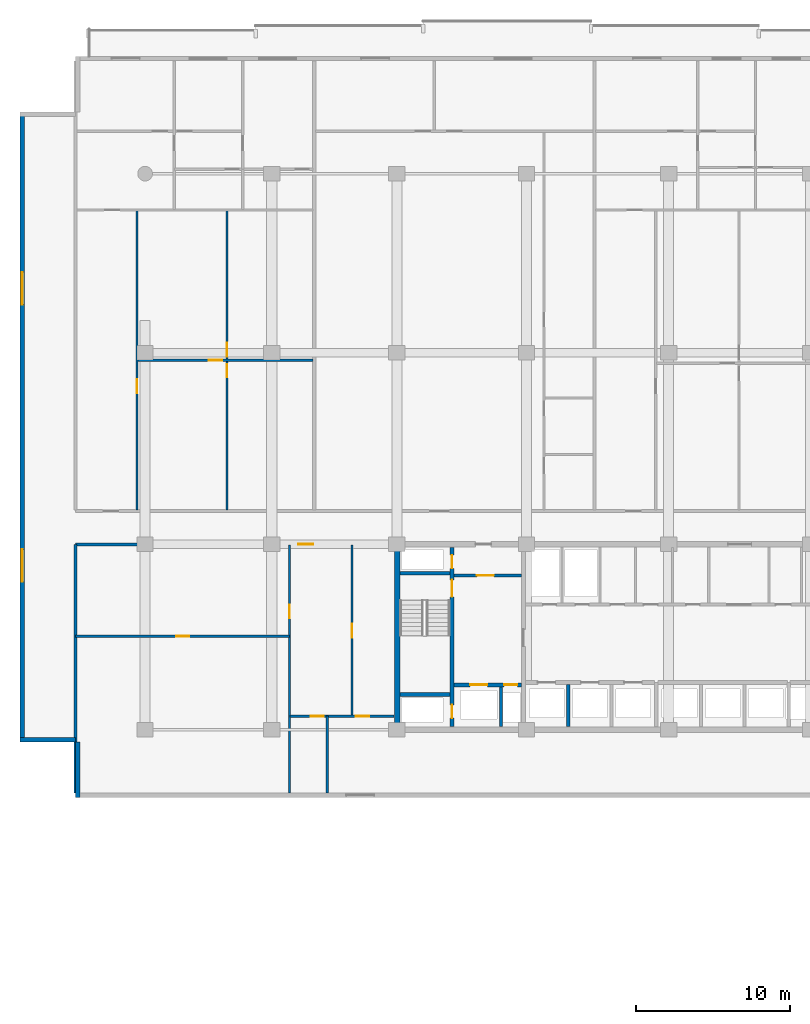
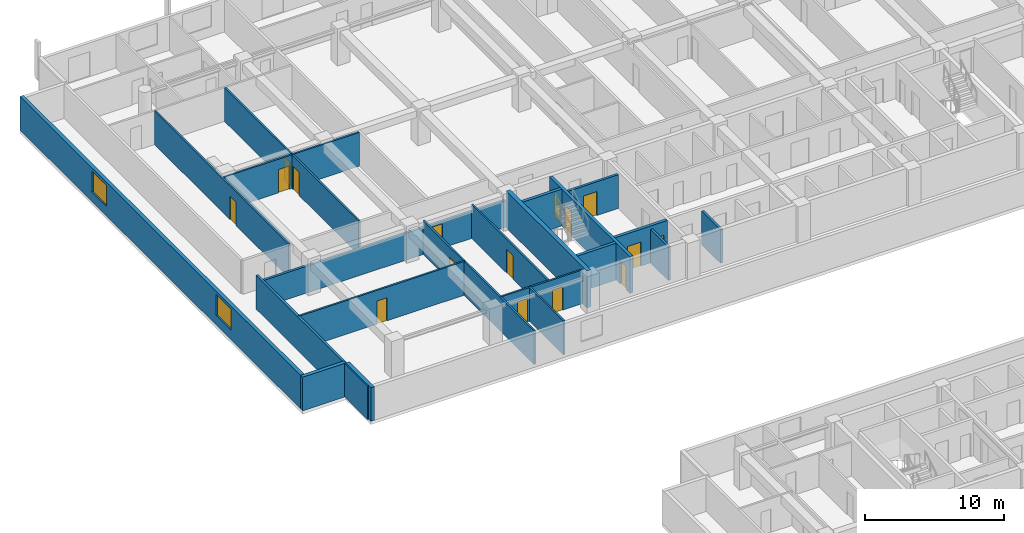
# One storey, part 9 of 23: 21 walls, 16 doors, 2 windows, 18 openings.
"""IFC4 building model written with IfcOpenShell, lengths in metres."""

from ifc_helpers import new_model, si_unit, direction, frame, frame_2d, origin, place, context, subcontext, project, spatial, rectangle, extrude, material, layer, layer_set, type_object, element, fill, save


model = new_model("IFC4")

# Units and contexts
model_context = context("Model", 3, precision=1e-05, world=origin(), true_north=direction((0.0, 1.0)))
body_context = subcontext(model_context, "Body", "Model", "MODEL_VIEW")
ifc_project = project(units=[si_unit("LENGTHUNIT", "METRE"), si_unit("AREAUNIT", "SQUARE_METRE"), si_unit("VOLUMEUNIT", "CUBIC_METRE"), si_unit("PLANEANGLEUNIT", "RADIAN"), si_unit("MASSUNIT", "GRAM", prefix="KILO")], contexts=[model_context])

# Site, building, storey
site_placement = place(None, origin())
site = spatial("IfcSite", under=ifc_project, at=site_placement, CompositionType="ELEMENT")
building_placement = place(site_placement, origin())
building = spatial("IfcBuilding", under=site, at=building_placement, Name="Korimba Cascade Residences", CompositionType="ELEMENT")
storey_placement = place(building_placement, frame((0.0, 0.0, 50.0)))
storey = spatial("IfcBuildingStorey", under=building, at=storey_placement, Name="L13", CompositionType="ELEMENT", Elevation=50.0)

# Wall, openings, windows
ifc_material_1 = material(Name="Precast concrete C40/50", Category="concrete")
ifc_layer_1 = layer(ifc_material_1, 0.300048828125)
ifc_layer_set_1 = layer_set([ifc_layer_1], Name="Precast concrete C40/50")
wall_type_1 = type_object("IfcWallType", Name="EW-STONE-300", PredefinedType="STANDARD", material=ifc_layer_set_1)
wall_1_placement = place(storey_placement, frame((51.85009765625, 95.199951171875, 0.0), z_axis=(0.0, 0.0, 1.0), x_axis=(0.0, -1.0, 0.0)))
wall_1 = element("IfcWall", 1, at=wall_1_placement, inside=storey, type_object=wall_type_1, Name="L13 T1 Perimeter Stone Wall E09", PredefinedType="STANDARD", context=body_context, shape_type="SweptSolid", body=[
    extrude(rectangle(XDim=40.800048828125, YDim=0.300048828125, at=frame_2d((20.39990234375, 0.0))), origin(), (0.0, 0.0, 1.0), 2.969970703125),
])
opening_1_placement = place(wall_1_placement, frame((10.3740234375, 0.0, 0.85009765625)))
opening_1 = element("IfcOpeningElement", 2, at=opening_1_placement, cuts=wall_1, Name="Opening W-03", PredefinedType="OPENING", context=body_context, shape_type="SweptSolid", body=[
    extrude(rectangle(XDim=2.10009765625, YDim=1.85009765625, at=frame_2d((1.050048828125, 0.925048828125))), frame((0.0, 0.16015625, 0.0), z_axis=(0.0, -1.0, 0.0), x_axis=(1.0, 0.0, 0.0)), (0.0, 0.0, 1.0), 0.320068359375),
])
opening_2_placement = place(wall_1_placement, frame((28.325927734375, 0.0, 0.85009765625)))
opening_2 = element("IfcOpeningElement", 3, at=opening_2_placement, cuts=wall_1, Name="Opening W-03", PredefinedType="OPENING", context=body_context, shape_type="SweptSolid", body=[
    extrude(rectangle(XDim=2.10009765625, YDim=1.85009765625, at=frame_2d((1.050048828125, 0.925048828125))), frame((0.0, 0.16015625, 0.0), z_axis=(0.0, -1.0, 0.0), x_axis=(1.0, 0.0, 0.0)), (0.0, 0.0, 1.0), 0.320068359375),
])
ifc_material_2 = material(Name="Double-Glazed Aluminium Window", Category="aluminium")
window_type = type_object("IfcWindowType", Name="WIN-CRN-2100", PartitioningType="DOUBLE_PANEL_HORIZONTAL", PredefinedType="WINDOW", material=ifc_material_2)
window_1_placement = place(opening_1_placement, origin())
window_1 = element("IfcWindow", 4, at=window_1_placement, inside=storey, type_object=window_type, Name="L13 T1 End View Window 9.1", OverallHeight=1.85009765625, OverallWidth=2.10009765625, PartitioningType="DOUBLE_PANEL_HORIZONTAL", PredefinedType="WINDOW", context=body_context, shape_type="SweptSolid", body=[
    extrude(rectangle(XDim=2.10009765625, YDim=1.85009765625, at=frame_2d((1.050048828125, 0.925048828125))), frame((0.0, 0.030029296875, 0.0), z_axis=(0.0, -1.0, 0.0), x_axis=(1.0, 0.0, 0.0)), (0.0, 0.0, 1.0), 0.06005859375),
])
fill(opening_1, window_1)
window_2_placement = place(opening_2_placement, origin())
window_2 = element("IfcWindow", 5, at=window_2_placement, inside=storey, type_object=window_type, Name="L13 T1 End View Window 9.2", OverallHeight=1.85009765625, OverallWidth=2.10009765625, PartitioningType="DOUBLE_PANEL_HORIZONTAL", PredefinedType="WINDOW", context=body_context, shape_type="SweptSolid", body=[
    extrude(rectangle(XDim=2.10009765625, YDim=1.85009765625, at=frame_2d((1.050048828125, 0.925048828125))), frame((0.0, 0.030029296875, 0.0), z_axis=(0.0, -1.0, 0.0), x_axis=(1.0, 0.0, 0.0)), (0.0, 0.0, 1.0), 0.06005859375),
])
fill(opening_2, window_2)

# Walls
wall_2_placement = place(storey_placement, frame((51.699951171875, 54.550048828125, 0.0), z_axis=(0.0, 0.0, 1.0), x_axis=(1.0, 0.0, 0.0)))
element("IfcWall", 6, at=wall_2_placement, inside=storey, type_object=wall_type_1, Name="L13 T1 Perimeter Stone Wall E10", PredefinedType="STANDARD", context=body_context, shape_type="SweptSolid", body=[
    extrude(rectangle(XDim=3.60009765625, YDim=0.300048828125, at=frame_2d((1.800048828125, 0.0))), origin(), (0.0, 0.0, 1.0), 2.969970703125),
])
wall_3_placement = place(storey_placement, frame((55.449951171875, 54.39990234375, 0.0), z_axis=(0.0, 0.0, 1.0), x_axis=(0.0, -1.0, 0.0)))
element("IfcWall", 7, at=wall_3_placement, inside=storey, type_object=wall_type_1, Name="L13 T1 Perimeter Stone Wall E11", PredefinedType="STANDARD", context=body_context, shape_type="SweptSolid", body=[
    extrude(rectangle(XDim=3.599853515625, YDim=0.300048828125, at=frame_2d((1.7998046875, 0.0))), origin(), (0.0, 0.0, 1.0), 2.969970703125),
])
ifc_material_3 = material(Name="Concrete C65/80", Category="concrete")
ifc_layer_2 = layer(ifc_material_3, 0.35009765625)
ifc_layer_set_2 = layer_set([ifc_layer_2], Name="Concrete C65/80")
wall_type_2 = type_object("IfcWallType", Name="WAL-CORE-350", PredefinedType="SHEAR", material=ifc_layer_set_2)
wall_4_placement = place(storey_placement, frame((76.125, 55.375, 0.0), z_axis=(0.0, 0.0, 1.0), x_axis=(0.0, 1.0, 0.0)))
element("IfcWall", 8, at=wall_4_placement, inside=storey, type_object=wall_type_2, Name="L13 Core Shear Wall CW-L13-T1-W", PredefinedType="SHEAR", context=body_context, shape_type="SweptSolid", body=[
    extrude(rectangle(XDim=11.64990234375, YDim=0.35009765625, at=frame_2d((5.824951171875, 0.0))), origin(), (0.0, 0.0, 1.0), 3.25),
])
ifc_layer_3 = layer(ifc_material_1, 0.199951171875)
ifc_layer_set_3 = layer_set([ifc_layer_3], Name="Precast concrete C40/50")
wall_type_3 = type_object("IfcWallType", Name="WAL-IT-200", PredefinedType="PARTITIONING", material=ifc_layer_set_3)
wall_5_placement = place(storey_placement, frame((55.300048828125, 51.10009765625, 0.0), z_axis=(0.0, 0.0, 1.0), x_axis=(0.0, 1.0, 0.0)))
element("IfcWall", 9, at=wall_5_placement, inside=storey, type_object=wall_type_3, Name="L13 Partition Wall WAL-L13-T1-FW-WL", PredefinedType="PARTITIONING", context=body_context, shape_type="SweptSolid", body=[
    extrude(rectangle(XDim=16.099853515625, YDim=0.199951171875, at=frame_2d((8.0498046875, 0.0))), origin(), (0.0, 0.0, 1.0), 2.969970703125),
])

# Wall, opening, door
wall_6_placement = place(storey_placement, frame((55.300048828125, 67.199951171875, 0.0), z_axis=(0.0, 0.0, 1.0), x_axis=(1.0, 0.0, 0.0)))
wall_6 = element("IfcWall", 10, at=wall_6_placement, inside=storey, type_object=wall_type_3, Name="L13 Partition Wall WAL-L13-T1-FW-N", PredefinedType="PARTITIONING", context=body_context, shape_type="SweptSolid", body=[
    extrude(rectangle(XDim=20.64990234375, YDim=0.199951171875, at=frame_2d((10.324951171875, 0.0))), origin(), (0.0, 0.0, 1.0), 2.3701171875),
])
opening_3_placement = place(wall_6_placement, frame((14.426025390625, 0.0, 0.0)))
opening_3 = element("IfcOpeningElement", 11, at=opening_3_placement, cuts=wall_6, Name="Opening D-UN1", PredefinedType="OPENING", context=body_context, shape_type="SweptSolid", body=[
    extrude(rectangle(XDim=0.949951171875, YDim=2.14990234375, at=frame_2d((0.47509765625, 1.074951171875))), frame((0.0, 0.10986328125, 0.0), z_axis=(0.0, -1.0, 0.0), x_axis=(1.0, 0.0, 0.0)), (0.0, 0.0, 1.0), 0.219970703125),
])
ifc_material_4 = material(Name="Fire-Rated Hardwood Apartment Entrance Door", Category="wood")
door_type_1 = type_object("IfcDoorType", Name="DR-FD60-950", OperationType="NOTDEFINED", PredefinedType="DOOR", material=ifc_material_4)
door_1_placement = place(opening_3_placement, origin())
door_1 = element("IfcDoor", 12, at=door_1_placement, inside=storey, type_object=door_type_1, Name="L13-T1-FW Entrance Door", OperationType="SINGLE_SWING_LEFT", OverallHeight=2.14990234375, OverallWidth=0.949951171875, PredefinedType="DOOR", context=body_context, shape_type="SweptSolid", body=[
    extrude(rectangle(XDim=0.949951171875, YDim=2.14990234375, at=frame_2d((0.47509765625, 1.074951171875))), frame((0.0, 0.02490234375, 0.0), z_axis=(0.0, -1.0, 0.0), x_axis=(1.0, 0.0, 0.0)), (0.0, 0.0, 1.0), 0.050048828125),
])
fill(opening_3, door_1)

ifc_material_5 = material(Name="Insulated Acoustic Stud Partition", Category="gypsum")
ifc_layer_4 = layer(ifc_material_5, 0.14990234375)
ifc_layer_set_4 = layer_set([ifc_layer_4], Name="Insulated Acoustic Stud Partition")
wall_type_4 = type_object("IfcWallType", Name="WAL-PART-150", PredefinedType="PARTITIONING", material=ifc_layer_set_4)
wall_7_placement = place(storey_placement, frame((55.300048828125, 61.25, 0.0), z_axis=(0.0, 0.0, 1.0), x_axis=(1.0, 0.0, 0.0)))
wall_7 = element("IfcWall", 13, at=wall_7_placement, inside=storey, type_object=wall_type_4, Name="L13 Partition Wall WAL-L13-T1-FW-STH", PredefinedType="PARTITIONING", context=body_context, shape_type="SweptSolid", body=[
    extrude(rectangle(XDim=13.849853515625, YDim=0.14990234375, at=frame_2d((6.9248046875, 0.0))), origin(), (0.0, 0.0, 1.0), 2.969970703125),
])
opening_4_placement = place(wall_7_placement, frame((6.5048828125, 0.0, 0.0)))
opening_4 = element("IfcOpeningElement", 14, at=opening_4_placement, cuts=wall_7, Name="Opening D-BT1", PredefinedType="OPENING", context=body_context, shape_type="SweptSolid", body=[
    extrude(rectangle(XDim=0.840087890625, YDim=2.0400390625, at=frame_2d((0.419921875, 1.02001953125))), frame((0.0, 0.0849609375, 0.0), z_axis=(0.0, -1.0, 0.0), x_axis=(1.0, 0.0, 0.0)), (0.0, 0.0, 1.0), 0.169921875),
])
ifc_material_6 = material(Name="Moisture-Resistant Bathroom Timber Door", Category="wood")
door_type_2 = type_object("IfcDoorType", Name="DR-INT-850", OperationType="NOTDEFINED", PredefinedType="DOOR", material=ifc_material_6)
door_2_placement = place(opening_4_placement, origin())
door_2 = element("IfcDoor", 15, at=door_2_placement, inside=storey, type_object=door_type_2, Name="L13-T1-FW Dressing Store Door", OperationType="SINGLE_SWING_RIGHT", OverallHeight=2.0400390625, OverallWidth=0.840087890625, PredefinedType="DOOR", context=body_context, shape_type="SweptSolid", body=[
    extrude(rectangle(XDim=0.840087890625, YDim=2.0400390625, at=frame_2d((0.419921875, 1.02001953125))), frame((0.0, 0.02490234375, 0.0), z_axis=(0.0, -1.0, 0.0), x_axis=(1.0, 0.0, 0.0)), (0.0, 0.0, 1.0), 0.050048828125),
])
fill(opening_4, door_2)

wall_8_placement = place(storey_placement, frame((69.14990234375, 51.10009765625, 0.0), z_axis=(0.0, 0.0, 1.0), x_axis=(0.0, 1.0, 0.0)))
wall_8 = element("IfcWall", 16, at=wall_8_placement, inside=storey, type_object=wall_type_4, Name="L13 Partition Wall WAL-L13-T1-FW-STV", PredefinedType="PARTITIONING", context=body_context, shape_type="SweptSolid", body=[
    extrude(rectangle(XDim=16.0498046875, YDim=0.14990234375, at=frame_2d((8.02490234375, 0.0))), origin(), (0.0, 0.0, 1.0), 2.969970703125),
])
opening_5_placement = place(wall_8_placement, frame((11.300048828125, 0.0, 0.0)))
opening_5 = element("IfcOpeningElement", 17, at=opening_5_placement, cuts=wall_8, Name="Opening D-IN2", PredefinedType="OPENING", context=body_context, shape_type="SweptSolid", body=[
    extrude(rectangle(XDim=0.8798828125, YDim=2.06005859375, at=frame_2d((0.43994140625, 1.030029296875))), frame((0.0, 0.0849609375, 0.0), z_axis=(0.0, -1.0, 0.0), x_axis=(1.0, 0.0, 0.0)), (0.0, 0.0, 1.0), 0.169921875),
])
ifc_material_7 = material(Name="Acoustic Timber Bedroom Door", Category="wood")
door_type_3 = type_object("IfcDoorType", Name="DR-INT-880", OperationType="NOTDEFINED", PredefinedType="DOOR", material=ifc_material_7)
door_3_placement = place(opening_5_placement, origin())
door_3 = element("IfcDoor", 18, at=door_3_placement, inside=storey, type_object=door_type_3, Name="L13-T1-FW Study Door", OperationType="SINGLE_SWING_LEFT", OverallHeight=2.06005859375, OverallWidth=0.8798828125, PredefinedType="DOOR", context=body_context, shape_type="SweptSolid", body=[
    extrude(rectangle(XDim=0.8798828125, YDim=2.06005859375, at=frame_2d((0.43994140625, 1.030029296875))), frame((0.0, 0.02490234375, 0.0), z_axis=(0.0, -1.0, 0.0), x_axis=(1.0, 0.0, 0.0)), (0.0, 0.0, 1.0), 0.050048828125),
])
fill(opening_5, door_3)

wall_9_placement = place(storey_placement, frame((73.199951171875, 56.070068359375, 0.0), z_axis=(0.0, 0.0, 1.0), x_axis=(0.0, 1.0, 0.0)))
wall_9 = element("IfcWall", 19, at=wall_9_placement, inside=storey, type_object=wall_type_4, Name="L13 Partition Wall WAL-L13-T1-FW-VN", PredefinedType="PARTITIONING", context=body_context, shape_type="SweptSolid", body=[
    extrude(rectangle(XDim=11.079833984375, YDim=0.14990234375, at=frame_2d((5.5400390625, 0.0))), origin(), (0.0, 0.0, 1.0), 2.969970703125),
])
opening_6_placement = place(wall_9_placement, frame((5.080078125, 0.0, 0.0)))
opening_6 = element("IfcOpeningElement", 20, at=opening_6_placement, cuts=wall_9, Name="Opening D-IN1", PredefinedType="OPENING", context=body_context, shape_type="SweptSolid", body=[
    extrude(rectangle(XDim=0.919921875, YDim=2.080078125, at=frame_2d((0.4599609375, 1.0400390625))), frame((0.0, 0.0849609375, 0.0), z_axis=(0.0, -1.0, 0.0), x_axis=(1.0, 0.0, 0.0)), (0.0, 0.0, 1.0), 0.169921875),
])
ifc_material_8 = material(Name="Acoustic Timber Living Door", Category="wood")
door_type_4 = type_object("IfcDoorType", Name="DR-INT-920", OperationType="NOTDEFINED", PredefinedType="DOOR", material=ifc_material_8)
door_4_placement = place(opening_6_placement, origin())
door_4 = element("IfcDoor", 21, at=door_4_placement, inside=storey, type_object=door_type_4, Name="L13-T1-FW Living Door", OperationType="SINGLE_SWING_RIGHT", OverallHeight=2.080078125, OverallWidth=0.919921875, PredefinedType="DOOR", context=body_context, shape_type="SweptSolid", body=[
    extrude(rectangle(XDim=0.919921875, YDim=2.080078125, at=frame_2d((0.4599609375, 1.0400390625))), frame((0.0, 0.02490234375, 0.0), z_axis=(0.0, -1.0, 0.0), x_axis=(1.0, 0.0, 0.0)), (0.0, 0.0, 1.0), 0.050048828125),
])
fill(opening_6, door_4)

# Wall
wall_10_placement = place(storey_placement, frame((71.60009765625, 51.10009765625, 0.0), z_axis=(0.0, 0.0, 1.0), x_axis=(0.0, 1.0, 0.0)))
element("IfcWall", 22, at=wall_10_placement, inside=storey, type_object=wall_type_4, Name="L13 Partition Wall WAL-L13-T1-FW-VS", PredefinedType="PARTITIONING", context=body_context, shape_type="SweptSolid", body=[
    extrude(rectangle(XDim=4.969970703125, YDim=0.14990234375, at=frame_2d((2.48486328125, 0.0))), origin(), (0.0, 0.0, 1.0), 2.969970703125),
])

# Wall, openings, doors
wall_11_placement = place(storey_placement, frame((69.169921875, 56.070068359375, 0.0), z_axis=(0.0, 0.0, 1.0), x_axis=(1.0, 0.0, 0.0)))
wall_11 = element("IfcWall", 23, at=wall_11_placement, inside=storey, type_object=wall_type_4, Name="L13 Partition Wall WAL-L13-T1-FW-H", PredefinedType="PARTITIONING", context=body_context, shape_type="SweptSolid", body=[
    extrude(rectangle(XDim=6.760009765625, YDim=0.14990234375, at=frame_2d((3.3798828125, 0.0))), origin(), (0.0, 0.0, 1.0), 2.969970703125),
])
opening_7_placement = place(wall_11_placement, frame((1.3623046875, 0.0, 0.0)))
opening_7 = element("IfcOpeningElement", 24, at=opening_7_placement, cuts=wall_11, Name="Opening D-BT1", PredefinedType="OPENING", context=body_context, shape_type="SweptSolid", body=[
    extrude(rectangle(XDim=0.840087890625, YDim=2.0400390625, at=frame_2d((0.419921875, 1.02001953125))), frame((0.0, 0.0849609375, 0.0), z_axis=(0.0, -1.0, 0.0), x_axis=(1.0, 0.0, 0.0)), (0.0, 0.0, 1.0), 0.169921875),
])
opening_8_placement = place(wall_11_placement, frame((4.276611328125, 0.0, 0.0)))
opening_8 = element("IfcOpeningElement", 25, at=opening_8_placement, cuts=wall_11, Name="Opening D-IN2", PredefinedType="OPENING", context=body_context, shape_type="SweptSolid", body=[
    extrude(rectangle(XDim=0.8798828125, YDim=2.06005859375, at=frame_2d((0.43994140625, 1.030029296875))), frame((0.0, 0.0849609375, 0.0), z_axis=(0.0, -1.0, 0.0), x_axis=(1.0, 0.0, 0.0)), (0.0, 0.0, 1.0), 0.169921875),
])
door_5_placement = place(opening_7_placement, origin())
door_5 = element("IfcDoor", 26, at=door_5_placement, inside=storey, type_object=door_type_2, Name="L13-T1-FW Bathroom Door", OperationType="SINGLE_SWING_LEFT", OverallHeight=2.0400390625, OverallWidth=0.840087890625, PredefinedType="DOOR", context=body_context, shape_type="SweptSolid", body=[
    extrude(rectangle(XDim=0.840087890625, YDim=2.0400390625, at=frame_2d((0.419921875, 1.02001953125))), frame((0.0, 0.02490234375, 0.0), z_axis=(0.0, -1.0, 0.0), x_axis=(1.0, 0.0, 0.0)), (0.0, 0.0, 1.0), 0.050048828125),
])
fill(opening_7, door_5)
door_6_placement = place(opening_8_placement, origin())
door_6 = element("IfcDoor", 27, at=door_6_placement, inside=storey, type_object=door_type_3, Name="L13-T1-FW Bedroom Door", OperationType="SINGLE_SWING_RIGHT", OverallHeight=2.06005859375, OverallWidth=0.8798828125, PredefinedType="DOOR", context=body_context, shape_type="SweptSolid", body=[
    extrude(rectangle(XDim=0.8798828125, YDim=2.06005859375, at=frame_2d((0.43994140625, 1.030029296875))), frame((0.0, 0.02490234375, 0.0), z_axis=(0.0, -1.0, 0.0), x_axis=(1.0, 0.0, 0.0)), (0.0, 0.0, 1.0), 0.050048828125),
])
fill(opening_8, door_6)

wall_12_placement = place(storey_placement, frame((65.1025390625, 69.409912109375, 0.0), z_axis=(0.0, 0.0, 1.0), x_axis=(0.0, 1.0, 0.0)))
wall_12 = element("IfcWall", 28, at=wall_12_placement, inside=storey, type_object=wall_type_4, Name="L13 Partition Wall WAL-L13-T1-U01-FMV", PredefinedType="PARTITIONING", context=body_context, shape_type="SweptSolid", body=[
    extrude(rectangle(XDim=19.400146484375, YDim=0.14990234375, at=frame_2d((9.7001953125, 0.0))), origin(), (0.0, 0.0, 1.0), 2.969970703125),
])
opening_9_placement = place(wall_12_placement, frame((8.610107421875, 0.0, 0.0)))
opening_9 = element("IfcOpeningElement", 29, at=opening_9_placement, cuts=wall_12, Name="Opening D-BT1", PredefinedType="OPENING", context=body_context, shape_type="SweptSolid", body=[
    extrude(rectangle(XDim=0.840087890625, YDim=2.0400390625, at=frame_2d((0.419921875, 1.02001953125))), frame((0.0, 0.0849609375, 0.0), z_axis=(0.0, -1.0, 0.0), x_axis=(1.0, 0.0, 0.0)), (0.0, 0.0, 1.0), 0.169921875),
])
opening_10_placement = place(wall_12_placement, frame((9.949951171875, 0.0, 0.0)))
opening_10 = element("IfcOpeningElement", 30, at=opening_10_placement, cuts=wall_12, Name="Opening D-IN2", PredefinedType="OPENING", context=body_context, shape_type="SweptSolid", body=[
    extrude(rectangle(XDim=0.8798828125, YDim=2.06005859375, at=frame_2d((0.43994140625, 1.030029296875))), frame((0.0, 0.0849609375, 0.0), z_axis=(0.0, -1.0, 0.0), x_axis=(1.0, 0.0, 0.0)), (0.0, 0.0, 1.0), 0.169921875),
])
door_7_placement = place(opening_9_placement, origin())
door_7 = element("IfcDoor", 31, at=door_7_placement, inside=storey, type_object=door_type_2, Name="L13-T1-U01 Wardrobe Door", OperationType="SINGLE_SWING_RIGHT", OverallHeight=2.0400390625, OverallWidth=0.840087890625, PredefinedType="DOOR", context=body_context, shape_type="SweptSolid", body=[
    extrude(rectangle(XDim=0.840087890625, YDim=2.0400390625, at=frame_2d((0.419921875, 1.02001953125))), frame((0.0, 0.02490234375, 0.0), z_axis=(0.0, -1.0, 0.0), x_axis=(1.0, 0.0, 0.0)), (0.0, 0.0, 1.0), 0.050048828125),
])
fill(opening_9, door_7)
door_8_placement = place(opening_10_placement, origin())
door_8 = element("IfcDoor", 32, at=door_8_placement, inside=storey, type_object=door_type_3, Name="L13-T1-U01 Music Lounge Door", OperationType="SINGLE_SWING_LEFT", OverallHeight=2.06005859375, OverallWidth=0.8798828125, PredefinedType="DOOR", context=body_context, shape_type="SweptSolid", body=[
    extrude(rectangle(XDim=0.8798828125, YDim=2.06005859375, at=frame_2d((0.43994140625, 1.030029296875))), frame((0.0, 0.02490234375, 0.0), z_axis=(0.0, -1.0, 0.0), x_axis=(1.0, 0.0, 0.0)), (0.0, 0.0, 1.0), 0.050048828125),
])
fill(opening_10, door_8)

# Wall, opening, door
wall_13_placement = place(storey_placement, frame((59.330078125, 79.110107421875, 0.0), z_axis=(0.0, 0.0, 1.0), x_axis=(1.0, 0.0, 0.0)))
wall_13 = element("IfcWall", 33, at=wall_13_placement, inside=storey, type_object=wall_type_4, Name="L13 Partition Wall WAL-L13-T1-U01-FMH", PredefinedType="PARTITIONING", context=body_context, shape_type="SweptSolid", body=[
    extrude(rectangle(XDim=11.34521484375, YDim=0.14990234375, at=frame_2d((5.672607421875, 0.0))), origin(), (0.0, 0.0, 1.0), 2.969970703125),
])
opening_11_placement = place(wall_13_placement, frame((4.586181640625, 0.0, 0.0)))
opening_11 = element("IfcOpeningElement", 34, at=opening_11_placement, cuts=wall_13, Name="Opening D-IN2", PredefinedType="OPENING", context=body_context, shape_type="SweptSolid", body=[
    extrude(rectangle(XDim=0.8798828125, YDim=2.06005859375, at=frame_2d((0.43994140625, 1.030029296875))), frame((0.0, 0.0849609375, 0.0), z_axis=(0.0, -1.0, 0.0), x_axis=(1.0, 0.0, 0.0)), (0.0, 0.0, 1.0), 0.169921875),
])
door_9_placement = place(opening_11_placement, origin())
door_9 = element("IfcDoor", 35, at=door_9_placement, inside=storey, type_object=door_type_3, Name="L13-T1-U01 Library Salon Door", OperationType="SINGLE_SWING_RIGHT", OverallHeight=2.06005859375, OverallWidth=0.8798828125, PredefinedType="DOOR", context=body_context, shape_type="SweptSolid", body=[
    extrude(rectangle(XDim=0.8798828125, YDim=2.06005859375, at=frame_2d((0.43994140625, 1.030029296875))), frame((0.0, 0.02490234375, 0.0), z_axis=(0.0, -1.0, 0.0), x_axis=(1.0, 0.0, 0.0)), (0.0, 0.0, 1.0), 0.050048828125),
])
fill(opening_11, door_9)

wall_14_placement = place(storey_placement, frame((59.27001953125, 69.409912109375, 0.0), z_axis=(0.0, 0.0, 1.0), x_axis=(0.0, 1.0, 0.0)))
wall_14 = element("IfcWall", 36, at=wall_14_placement, inside=storey, type_object=wall_type_4, Name="L13 Partition Wall WAL-L13-T1-U01-FV", PredefinedType="PARTITIONING", context=body_context, shape_type="SweptSolid", body=[
    extrude(rectangle(XDim=19.400146484375, YDim=0.14990234375, at=frame_2d((9.7001953125, 0.0))), origin(), (0.0, 0.0, 1.0), 2.969970703125),
])
opening_12_placement = place(wall_14_placement, frame((7.58349609375, 0.0, 0.0)))
opening_12 = element("IfcOpeningElement", 37, at=opening_12_placement, cuts=wall_14, Name="Opening D-IN2", PredefinedType="OPENING", context=body_context, shape_type="SweptSolid", body=[
    extrude(rectangle(XDim=0.8798828125, YDim=2.06005859375, at=frame_2d((0.43994140625, 1.030029296875))), frame((0.0, 0.0849609375, 0.0), z_axis=(0.0, -1.0, 0.0), x_axis=(1.0, 0.0, 0.0)), (0.0, 0.0, 1.0), 0.169921875),
])
door_10_placement = place(opening_12_placement, origin())
door_10 = element("IfcDoor", 38, at=door_10_placement, inside=storey, type_object=door_type_3, Name="L13-T1-U01 Media Lounge Door", OperationType="SINGLE_SWING_LEFT", OverallHeight=2.06005859375, OverallWidth=0.8798828125, PredefinedType="DOOR", context=body_context, shape_type="SweptSolid", body=[
    extrude(rectangle(XDim=0.8798828125, YDim=2.06005859375, at=frame_2d((0.43994140625, 1.030029296875))), frame((0.0, 0.02490234375, 0.0), z_axis=(0.0, -1.0, 0.0), x_axis=(1.0, 0.0, 0.0)), (0.0, 0.0, 1.0), 0.050048828125),
])
fill(opening_12, door_10)

# Wall
ifc_material_9 = material(Name="Concrete C40/50", Category="concrete")
ifc_layer_5 = layer(ifc_material_9, 0.199951171875)
ifc_layer_set_5 = layer_set([ifc_layer_5], Name="Concrete C40/50")
wall_type_5 = type_object("IfcWallType", Name="WAL-PART-200", PredefinedType="PARTITIONING", material=ifc_layer_set_5)
wall_15_placement = place(storey_placement, frame((82.85009765625, 55.39990234375, 0.0), z_axis=(0.0, 0.0, 1.0), x_axis=(0.0, 1.0, 0.0)))
element("IfcWall", 39, at=wall_15_placement, inside=storey, type_object=wall_type_5, Name="L13 Partition Wall CW-L13-T1-FFLDIV", PredefinedType="PARTITIONING", context=body_context, shape_type="SweptSolid", body=[
    extrude(rectangle(XDim=2.56005859375, YDim=0.199951171875, at=frame_2d((1.280029296875, 0.0))), origin(), (0.0, 0.0, 1.0), 2.969970703125),
])

# Wall, opening, door
wall_16_placement = place(storey_placement, frame((79.7900390625, 65.179931640625, 0.0), z_axis=(0.0, 0.0, 1.0), x_axis=(1.0, 0.0, 0.0)))
wall_16 = element("IfcWall", 40, at=wall_16_placement, inside=storey, type_object=wall_type_5, Name="L13 Partition Wall CW-L13-T1-FFLN", PredefinedType="PARTITIONING", context=body_context, shape_type="SweptSolid", body=[
    extrude(rectangle(XDim=4.389892578125, YDim=0.199951171875, at=frame_2d((2.19482421875, 0.0))), origin(), (0.0, 0.0, 1.0), 2.969970703125),
])
opening_13_placement = place(wall_16_placement, frame((1.5, 0.0, 0.0)))
opening_13 = element("IfcOpeningElement", 41, at=opening_13_placement, cuts=wall_16, Name="Opening D-FD1", PredefinedType="OPENING", context=body_context, shape_type="SweptSolid", body=[
    extrude(rectangle(XDim=1.10009765625, YDim=2.10009765625, at=frame_2d((0.550048828125, 1.050048828125))), frame((0.0, 0.10986328125, 0.0), z_axis=(0.0, -1.0, 0.0), x_axis=(1.0, 0.0, 0.0)), (0.0, 0.0, 1.0), 0.219970703125),
])
ifc_material_10 = material(Name="Fire-Rated Steel Core Door", Category="steel")
door_type_5 = type_object("IfcDoorType", Name="DR-FD120-1100", OperationType="NOTDEFINED", PredefinedType="DOOR", material=ifc_material_10)
door_11_placement = place(opening_13_placement, origin())
door_11 = element("IfcDoor", 42, at=door_11_placement, inside=storey, type_object=door_type_5, Name="L13 West Firefighting Lobby Door", OperationType="SINGLE_SWING_LEFT", OverallHeight=2.10009765625, OverallWidth=1.10009765625, PredefinedType="DOOR", context=body_context, shape_type="SweptSolid", body=[
    extrude(rectangle(XDim=1.10009765625, YDim=2.10009765625, at=frame_2d((0.550048828125, 1.050048828125))), frame((0.0, 0.02490234375, 0.0), z_axis=(0.0, -1.0, 0.0), x_axis=(1.0, 0.0, 0.0)), (0.0, 0.0, 1.0), 0.050048828125),
])
fill(opening_13, door_11)

# Wall
wall_17_placement = place(storey_placement, frame((87.199951171875, 55.39990234375, 0.0), z_axis=(0.0, 0.0, 1.0), x_axis=(0.0, 1.0, 0.0)))
element("IfcWall", 43, at=wall_17_placement, inside=storey, type_object=wall_type_5, Name="L13 Partition Wall CW-L13-T1-B1D1", PredefinedType="PARTITIONING", context=body_context, shape_type="SweptSolid", body=[
    extrude(rectangle(XDim=2.72021484375, YDim=0.199951171875, at=frame_2d((1.360107421875, 0.0))), origin(), (0.0, 0.0, 1.0), 2.969970703125),
])

# Wall, openings, doors
ifc_material_11 = material(Name="Concrete C50/60", Category="concrete")
ifc_layer_6 = layer(ifc_material_11, 0.25)
ifc_layer_set_6 = layer_set([ifc_layer_6], Name="Concrete C50/60")
wall_type_6 = type_object("IfcWallType", Name="WAL-SHAFT-250", PredefinedType="SHEAR", material=ifc_layer_set_6)
wall_18_placement = place(storey_placement, frame((79.6650390625, 55.39990234375, 0.0), z_axis=(0.0, 0.0, 1.0), x_axis=(0.0, 1.0, 0.0)))
wall_18 = element("IfcWall", 44, at=wall_18_placement, inside=storey, type_object=wall_type_6, Name="L13 Core Shear Wall CW-L13-T1-STW1E", PredefinedType="SHEAR", context=body_context, shape_type="SweptSolid", body=[
    extrude(rectangle(XDim=11.60009765625, YDim=0.25, at=frame_2d((5.800048828125, 0.0))), origin(), (0.0, 0.0, 1.0), 3.25),
])
opening_14_placement = place(wall_18_placement, frame((0.550048828125, 0.0, 0.0)))
opening_14 = element("IfcOpeningElement", 45, at=opening_14_placement, cuts=wall_18, Name="Opening D-RS1", PredefinedType="OPENING", context=body_context, shape_type="SweptSolid", body=[
    extrude(rectangle(XDim=0.85009765625, YDim=2.050048828125, at=frame_2d((0.425048828125, 1.02490234375))), frame((0.0, 0.135009765625, 0.0), z_axis=(0.0, -1.0, 0.0), x_axis=(1.0, 0.0, 0.0)), (0.0, 0.0, 1.0), 0.27001953125),
])
opening_15_placement = place(wall_18_placement, frame((8.39990234375, 0.0, 0.0)))
opening_15 = element("IfcOpeningElement", 46, at=opening_15_placement, cuts=wall_18, Name="Opening D-FD1", PredefinedType="OPENING", context=body_context, shape_type="SweptSolid", body=[
    extrude(rectangle(XDim=1.10009765625, YDim=2.10009765625, at=frame_2d((0.550048828125, 1.050048828125))), frame((0.0, 0.135009765625, 0.0), z_axis=(0.0, -1.0, 0.0), x_axis=(1.0, 0.0, 0.0)), (0.0, 0.0, 1.0), 0.27001953125),
])
opening_16_placement = place(wall_18_placement, frame((10.25, 0.0, 0.0)))
opening_16 = element("IfcOpeningElement", 47, at=opening_16_placement, cuts=wall_18, Name="Opening D-RS1", PredefinedType="OPENING", context=body_context, shape_type="SweptSolid", body=[
    extrude(rectangle(XDim=0.85009765625, YDim=2.050048828125, at=frame_2d((0.425048828125, 1.02490234375))), frame((0.0, 0.135009765625, 0.0), z_axis=(0.0, -1.0, 0.0), x_axis=(1.0, 0.0, 0.0)), (0.0, 0.0, 1.0), 0.27001953125),
])
door_12_placement = place(opening_15_placement, origin())
door_12 = element("IfcDoor", 48, at=door_12_placement, inside=storey, type_object=door_type_5, Name="L13 Fire Stair ST-W1 Door", OperationType="SINGLE_SWING_RIGHT", OverallHeight=2.10009765625, OverallWidth=1.10009765625, PredefinedType="DOOR", context=body_context, shape_type="SweptSolid", body=[
    extrude(rectangle(XDim=1.10009765625, YDim=2.10009765625, at=frame_2d((0.550048828125, 1.050048828125))), frame((0.0, 0.02490234375, 0.0), z_axis=(0.0, -1.0, 0.0), x_axis=(1.0, 0.0, 0.0)), (0.0, 0.0, 1.0), 0.050048828125),
])
fill(opening_15, door_12)
ifc_material_12 = material(Name="Fire-Rated Steel Riser Access Door", Category="steel")
door_type_6 = type_object("IfcDoorType", Name="DR-FD60-850", OperationType="NOTDEFINED", PredefinedType="DOOR", material=ifc_material_12)
door_13_placement = place(opening_14_placement, origin())
door_13 = element("IfcDoor", 49, at=door_13_placement, inside=storey, type_object=door_type_6, Name="L13 Smoke Riser Access Door", OperationType="SINGLE_SWING_LEFT", OverallHeight=2.050048828125, OverallWidth=0.85009765625, PredefinedType="DOOR", context=body_context, shape_type="SweptSolid", body=[
    extrude(rectangle(XDim=0.85009765625, YDim=2.050048828125, at=frame_2d((0.425048828125, 1.02490234375))), frame((0.0, 0.02490234375, 0.0), z_axis=(0.0, -1.0, 0.0), x_axis=(1.0, 0.0, 0.0)), (0.0, 0.0, 1.0), 0.050048828125),
])
fill(opening_14, door_13)
door_14_placement = place(opening_16_placement, origin())
door_14 = element("IfcDoor", 50, at=door_14_placement, inside=storey, type_object=door_type_6, Name="L13 Hydrant Riser Access Door", OperationType="SINGLE_SWING_LEFT", OverallHeight=2.050048828125, OverallWidth=0.85009765625, PredefinedType="DOOR", context=body_context, shape_type="SweptSolid", body=[
    extrude(rectangle(XDim=0.85009765625, YDim=2.050048828125, at=frame_2d((0.425048828125, 1.02490234375))), frame((0.0, 0.02490234375, 0.0), z_axis=(0.0, -1.0, 0.0), x_axis=(1.0, 0.0, 0.0)), (0.0, 0.0, 1.0), 0.050048828125),
])
fill(opening_16, door_14)

# Walls
for number, where, z_axis, x_axis, name in (
    (51, (76.300048828125, 57.47509765625, 0.0), (0.0, 0.0, 1.0), (1.0, 0.0, 0.0), "L13 Core Shear Wall CW-L13-T1-STW1S"),
    (52, (76.300048828125, 65.324951171875, 0.0), (0.0, 0.0, 1.0), (1.0, 0.0, 0.0), "L13 Core Shear Wall CW-L13-T1-STW1N"),
):
    element("IfcWall", number, at=place(storey_placement, frame(where, z_axis=z_axis, x_axis=x_axis)), inside=storey, type_object=wall_type_6, Name=name, PredefinedType="SHEAR", context=body_context, shape_type="SweptSolid", body=[
        extrude(rectangle(XDim=3.239990234375, YDim=0.25, at=frame_2d((1.6201171875, 0.0))), origin(), (0.0, 0.0, 1.0), 3.25),
    ])

# Wall, openings, doors
wall_19_placement = place(storey_placement, frame((79.7900390625, 58.10009765625, 0.0), z_axis=(0.0, 0.0, 1.0), x_axis=(1.0, 0.0, 0.0)))
wall_19 = element("IfcWall", 53, at=wall_19_placement, inside=storey, type_object=wall_type_6, Name="L13 Core Shear Wall CW-L13-T1-FFLS", PredefinedType="SHEAR", context=body_context, shape_type="SweptSolid", body=[
    extrude(rectangle(XDim=4.389892578125, YDim=0.25, at=frame_2d((2.19482421875, 0.0))), origin(), (0.0, 0.0, 1.0), 3.25),
])
opening_17_placement = place(wall_19_placement, frame((1.050048828125, 0.0, 0.0)))
opening_17 = element("IfcOpeningElement", 54, at=opening_17_placement, cuts=wall_19, Name="Opening LD-01", PredefinedType="OPENING", context=body_context, shape_type="SweptSolid", body=[
    extrude(rectangle(XDim=1.1201171875, YDim=2.1201171875, at=frame_2d((0.56005859375, 1.06005859375))), frame((0.0, 0.135009765625, 0.0), z_axis=(0.0, -1.0, 0.0), x_axis=(1.0, 0.0, 0.0)), (0.0, 0.0, 1.0), 0.27001953125),
])
opening_18_placement = place(wall_19_placement, frame((3.260009765625, 0.0, 0.0)))
opening_18 = element("IfcOpeningElement", 55, at=opening_18_placement, cuts=wall_19, Name="Opening D-RS1", PredefinedType="OPENING", context=body_context, shape_type="SweptSolid", body=[
    extrude(rectangle(XDim=0.85009765625, YDim=2.050048828125, at=frame_2d((0.425048828125, 1.02490234375))), frame((0.0, 0.135009765625, 0.0), z_axis=(0.0, -1.0, 0.0), x_axis=(1.0, 0.0, 0.0)), (0.0, 0.0, 1.0), 0.27001953125),
])
door_15_placement = place(opening_18_placement, origin())
door_15 = element("IfcDoor", 56, at=door_15_placement, inside=storey, type_object=door_type_6, Name="L13 Pressurisation Riser Door", OperationType="SINGLE_SWING_RIGHT", OverallHeight=2.050048828125, OverallWidth=0.85009765625, PredefinedType="DOOR", context=body_context, shape_type="SweptSolid", body=[
    extrude(rectangle(XDim=0.85009765625, YDim=2.050048828125, at=frame_2d((0.425048828125, 1.02490234375))), frame((0.0, 0.02490234375, 0.0), z_axis=(0.0, -1.0, 0.0), x_axis=(1.0, 0.0, 0.0)), (0.0, 0.0, 1.0), 0.050048828125),
])
fill(opening_18, door_15)
ifc_material_13 = material(Name="Stainless Steel Lift Landing Sliding Door", Category="steel")
door_type_7 = type_object("IfcDoorType", Name="DR-LIFT-1100", OperationType="NOTDEFINED", PredefinedType="DOOR", material=ifc_material_13)
door_16_placement = place(opening_17_placement, origin())
door_16 = element("IfcDoor", 57, at=door_16_placement, inside=storey, type_object=door_type_7, Name="L13 Firefighting Lift Landing Door FFL-W1", OperationType="SLIDING_TO_LEFT", OverallHeight=2.1201171875, OverallWidth=1.1201171875, PredefinedType="DOOR", context=body_context, shape_type="SweptSolid", body=[
    extrude(rectangle(XDim=1.1201171875, YDim=2.1201171875, at=frame_2d((0.56005859375, 1.06005859375))), frame((0.0, 0.02490234375, 0.0), z_axis=(0.0, -1.0, 0.0), x_axis=(1.0, 0.0, 0.0)), (0.0, 0.0, 1.0), 0.050048828125),
])
fill(opening_17, door_16)

save(model, "model.ifc")
